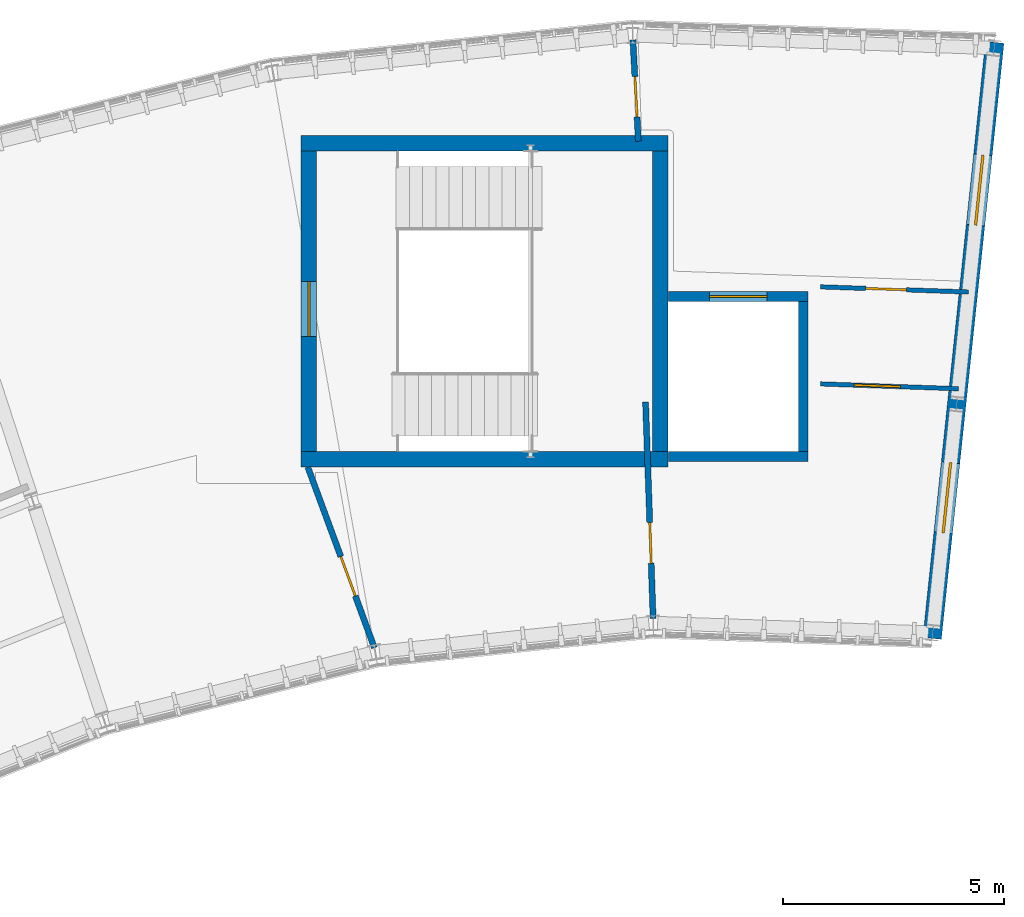
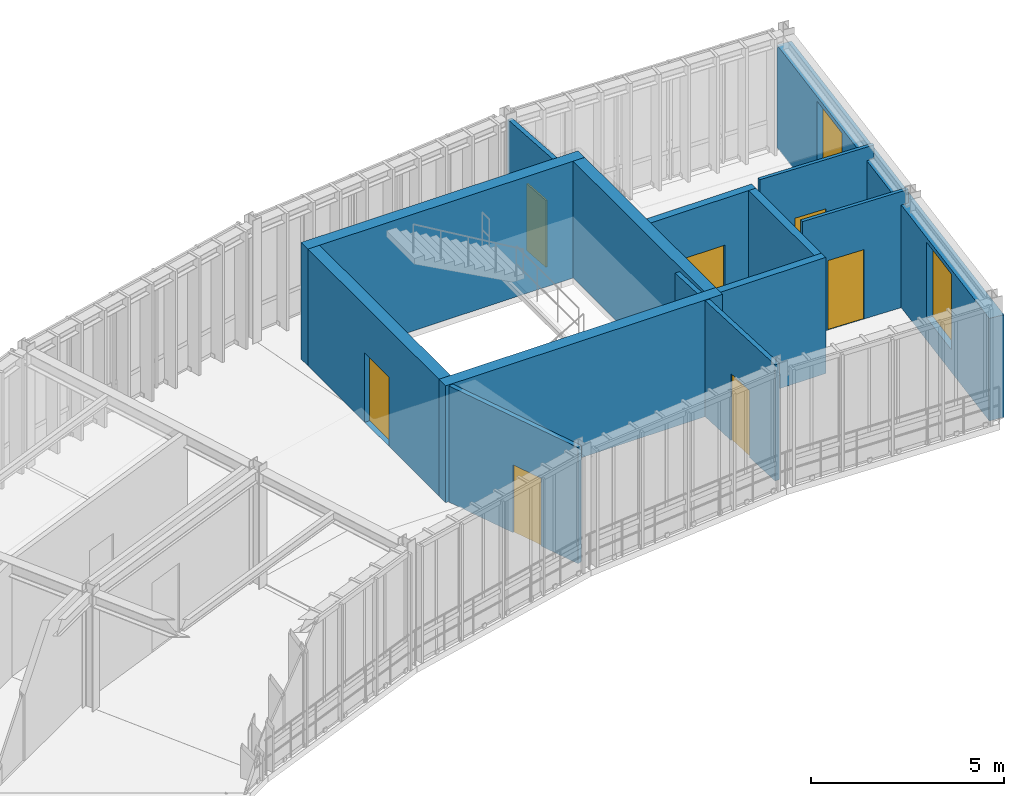
# One storey, part 31 of 41: 13 walls, 7 doors, 2 windows, 9 openings.
"""IFC4 building model written with IfcOpenShell, lengths in metres."""

from ifc_helpers import new_model, si_unit, direction, frame, frame_2d, origin, place, context, subcontext, project, spatial, rectangle, extrude, material, layer, layer_set, type_object, element, fill, save


model = new_model("IFC4")

# Units and contexts
model_context = context("Model", 3, precision=1e-05, world=origin(), true_north=direction((0.0, 1.0)))
body_context = subcontext(model_context, "Body", "Model", "MODEL_VIEW")
ifc_project = project(units=[si_unit("LENGTHUNIT", "METRE"), si_unit("AREAUNIT", "SQUARE_METRE"), si_unit("VOLUMEUNIT", "CUBIC_METRE"), si_unit("PLANEANGLEUNIT", "RADIAN"), si_unit("MASSUNIT", "GRAM", prefix="KILO"), si_unit("THERMODYNAMICTEMPERATUREUNIT", "KELVIN"), si_unit("POWERUNIT", "WATT")], contexts=[model_context])

# Site, building, storey
site_placement = place(None, origin())
site = spatial("IfcSite", under=ifc_project, at=site_placement, CompositionType="ELEMENT")
building_placement = place(site_placement, origin())
building = spatial("IfcBuilding", under=site, at=building_placement, Name="Solvatero Civic Police Headquarters", CompositionType="ELEMENT")
storey_placement = place(building_placement, frame((0.0, 0.0, 17.699951171875)))
storey = spatial("IfcBuildingStorey", under=building, at=storey_placement, Name="L04", CompositionType="ELEMENT", Elevation=17.699951171875)

# Wall, openings, windows
ifc_material_1 = material(Name="Cream Limestone Ashlar", Category="masonry")
ifc_layer_1 = layer(ifc_material_1, 0.419921875)
ifc_layer_set_1 = layer_set([ifc_layer_1], Name="Cream Limestone Ashlar")
wall_type_1 = type_object("IfcWallType", Name="WL-EXT-LIME-420", PredefinedType="SOLIDWALL", material=ifc_layer_set_1)
wall_1_placement = place(storey_placement, frame((98.726806640625, 70.972412109375, 0.0), z_axis=(0.0, 0.0, 1.0), x_axis=(0.104534827036, 0.994521226489, 0.0)))
wall_1 = element("IfcWall", 1, at=wall_1_placement, inside=storey, type_object=wall_type_1, Name="Exterior Wall WLE-L04-ARC-END-E", PredefinedType="SOLIDWALL", context=body_context, shape_type="SweptSolid", body=[
    extrude(rectangle(XDim=13.559814453125, YDim=0.419921875, at=frame_2d((6.77978515625, 0.0))), origin(), (0.0, 0.0, 1.0), 3.25),
])
opening_1_placement = place(wall_1_placement, frame((2.39990234375, 0.0, 0.7099609375)))
opening_1 = element("IfcOpeningElement", 2, at=opening_1_placement, cuts=wall_1, Name="Opening W-04", PredefinedType="OPENING", context=body_context, shape_type="SweptSolid", body=[
    extrude(rectangle(XDim=1.60009765625, YDim=2.39990234375, at=frame_2d((0.800048828125, 1.199951171875))), frame((0.0, 0.219970703125, 0.0), z_axis=(0.0, -1.0, 0.0), x_axis=(1.0, 0.0, 0.0)), (0.0, 0.0, 1.0), 0.43994140625),
])
opening_2_placement = place(wall_1_placement, frame((9.39990234375, 0.0, 0.7099609375)))
opening_2 = element("IfcOpeningElement", 3, at=opening_2_placement, cuts=wall_1, Name="Opening W-04", PredefinedType="OPENING", context=body_context, shape_type="SweptSolid", body=[
    extrude(rectangle(XDim=1.60009765625, YDim=2.39990234375, at=frame_2d((0.800048828125, 1.199951171875))), frame((0.0, 0.219970703125, 0.0), z_axis=(0.0, -1.0, 0.0), x_axis=(1.0, 0.0, 0.0)), (0.0, 0.0, 1.0), 0.43994140625),
])
ifc_material_2 = material(Name="Anodized Bronze Aluminium", Category="aluminium")
window_type = type_object("IfcWindowType", Name="WN-CL-160x240", PartitioningType="SINGLE_PANEL", PredefinedType="WINDOW", material=ifc_material_2)
window_1_placement = place(opening_1_placement, origin())
window_1 = element("IfcWindow", 4, at=window_1_placement, inside=storey, type_object=window_type, Name="Exterior Window 0289", OverallHeight=2.39990234375, OverallWidth=1.60009765625, PartitioningType="SINGLE_PANEL", PredefinedType="WINDOW", context=body_context, shape_type="SweptSolid", body=[
    extrude(rectangle(XDim=1.60009765625, YDim=2.39990234375, at=frame_2d((0.800048828125, 1.199951171875))), frame((0.0, 0.030029296875, 0.0), z_axis=(0.0, -1.0, 0.0), x_axis=(1.0, 0.0, 0.0)), (0.0, 0.0, 1.0), 0.06005859375),
])
fill(opening_1, window_1)
window_2_placement = place(opening_2_placement, origin())
window_2 = element("IfcWindow", 5, at=window_2_placement, inside=storey, type_object=window_type, Name="Exterior Window 0290", OverallHeight=2.39990234375, OverallWidth=1.60009765625, PartitioningType="SINGLE_PANEL", PredefinedType="WINDOW", context=body_context, shape_type="SweptSolid", body=[
    extrude(rectangle(XDim=1.60009765625, YDim=2.39990234375, at=frame_2d((0.800048828125, 1.199951171875))), frame((0.0, 0.030029296875, 0.0), z_axis=(0.0, -1.0, 0.0), x_axis=(1.0, 0.0, 0.0)), (0.0, 0.0, 1.0), 0.06005859375),
])
fill(opening_2, window_2)

# Wall, opening, door
ifc_material_3 = material(Name="Gypsum Acoustic Stud", Category="gypsum")
ifc_layer_2 = layer(ifc_material_3, 0.10009765625)
ifc_layer_set_2 = layer_set([ifc_layer_2], Name="Gypsum Acoustic Stud")
wall_type_2 = type_object("IfcWallType", Name="WL-PTN-100", PredefinedType="PARTITIONING", material=ifc_layer_set_2)
wall_2_placement = place(storey_placement, frame((99.320556640625, 76.62109375, 0.0), z_axis=(0.0, 0.0, 1.0), x_axis=(-0.999389073029, 0.034949688284, 0.0)))
wall_2 = element("IfcWall", 6, at=wall_2_placement, inside=storey, type_object=wall_type_2, Name="Interior Partition WLP-L04-ARC-CIN-B01", PredefinedType="PARTITIONING", context=body_context, shape_type="SweptSolid", body=[
    extrude(rectangle(XDim=3.12255859375, YDim=0.10009765625, at=frame_2d((1.561279296875, 0.0))), origin(), (0.0, 0.0, 1.0), 3.679931640625),
])
opening_3_placement = place(wall_2_placement, frame((1.31103515625, 0.0, 0.0)))
opening_3 = element("IfcOpeningElement", 7, at=opening_3_placement, cuts=wall_2, Name="Opening ID-07", PredefinedType="OPENING", context=body_context, shape_type="SweptSolid", body=[
    extrude(rectangle(XDim=1.050048828125, YDim=2.199951171875, at=frame_2d((0.52490234375, 1.10009765625))), frame((0.0, 0.06005859375, 0.0), z_axis=(0.0, -1.0, 0.0), x_axis=(1.0, 0.0, 0.0)), (0.0, 0.0, 1.0), 0.1201171875),
])
ifc_material_4 = material(Name="Powder-Coated Steel", Category="steel")
door_type_1 = type_object("IfcDoorType", Name="DR-LAB-105x220", OperationType="NOTDEFINED", PredefinedType="DOOR", material=ifc_material_4)
door_1_placement = place(opening_3_placement, origin())
door_1 = element("IfcDoor", 8, at=door_1_placement, inside=storey, type_object=door_type_1, Name="Interior Door DR-L04-ARC-IN-B01", OperationType="SINGLE_SWING_RIGHT", OverallHeight=2.199951171875, OverallWidth=1.050048828125, PredefinedType="DOOR", context=body_context, shape_type="SweptSolid", body=[
    extrude(rectangle(XDim=1.050048828125, YDim=2.199951171875, at=frame_2d((0.52490234375, 1.10009765625))), frame((0.0, 0.02490234375, 0.0), z_axis=(0.0, -1.0, 0.0), x_axis=(1.0, 0.0, 0.0)), (0.0, 0.0, 1.0), 0.050048828125),
])
fill(opening_3, door_1)

wall_3_placement = place(storey_placement, frame((99.550537109375, 78.80908203125, 0.0), z_axis=(0.0, 0.0, 1.0), x_axis=(-0.999391468521, 0.034881121642, 0.0)))
wall_3 = element("IfcWall", 9, at=wall_3_placement, inside=storey, type_object=wall_type_2, Name="Interior Partition WLP-L04-ARC-COUT-B01", PredefinedType="PARTITIONING", context=body_context, shape_type="SweptSolid", body=[
    extrude(rectangle(XDim=3.3525390625, YDim=0.10009765625, at=frame_2d((1.67626953125, 0.0))), origin(), (0.0, 0.0, 1.0), 3.679931640625),
])
opening_4_placement = place(wall_3_placement, frame((1.407958984375, 0.0, 0.0)))
opening_4 = element("IfcOpeningElement", 10, at=opening_4_placement, cuts=wall_3, Name="Opening ID-03", PredefinedType="OPENING", context=body_context, shape_type="SweptSolid", body=[
    extrude(rectangle(XDim=0.919921875, YDim=2.1201171875, at=frame_2d((0.4599609375, 1.06005859375))), frame((0.0, 0.06005859375, 0.0), z_axis=(0.0, -1.0, 0.0), x_axis=(1.0, 0.0, 0.0)), (0.0, 0.0, 1.0), 0.1201171875),
])
ifc_material_5 = material(Name="Acoustic Oak Timber Veneer", Category="wood")
door_type_2 = type_object("IfcDoorType", Name="DR-OFF-092x212", OperationType="NOTDEFINED", PredefinedType="DOOR", material=ifc_material_5)
door_2_placement = place(opening_4_placement, origin())
door_2 = element("IfcDoor", 11, at=door_2_placement, inside=storey, type_object=door_type_2, Name="Interior Door DR-L04-ARC-OUT-B01", OperationType="SINGLE_SWING_LEFT", OverallHeight=2.1201171875, OverallWidth=0.919921875, PredefinedType="DOOR", context=body_context, shape_type="SweptSolid", body=[
    extrude(rectangle(XDim=0.919921875, YDim=2.1201171875, at=frame_2d((0.4599609375, 1.06005859375))), frame((0.0, 0.02490234375, 0.0), z_axis=(0.0, -1.0, 0.0), x_axis=(1.0, 0.0, 0.0)), (0.0, 0.0, 1.0), 0.050048828125),
])
fill(opening_4, door_2)

ifc_material_6 = material(Name="Gypsum Double-Stud", Category="gypsum")
ifc_layer_3 = layer(ifc_material_6, 0.135009765625)
ifc_layer_set_3 = layer_set([ifc_layer_3], Name="Gypsum Double-Stud")
wall_type_3 = type_object("IfcWallType", Name="WL-PTN-135", PredefinedType="PARTITIONING", material=ifc_layer_set_3)
wall_4_placement = place(storey_placement, frame((92.413818359375, 71.42236328125, 0.0), z_axis=(0.0, 0.0, 1.0), x_axis=(-0.034877560821, 0.999391592796, 0.0)))
wall_4 = element("IfcWall", 12, at=wall_4_placement, inside=storey, type_object=wall_type_3, Name="Interior Partition WLP-L04-ARC-R12-IN", PredefinedType="PARTITIONING", context=body_context, shape_type="SweptSolid", body=[
    extrude(rectangle(XDim=4.89990234375, YDim=0.135009765625, at=frame_2d((2.449951171875, 0.0))), origin(), (0.0, 0.0, 1.0), 3.679931640625),
])
opening_5_placement = place(wall_4_placement, frame((1.25, 0.0, 0.0)))
opening_5 = element("IfcOpeningElement", 13, at=opening_5_placement, cuts=wall_4, Name="Opening ID-03", PredefinedType="OPENING", context=body_context, shape_type="SweptSolid", body=[
    extrude(rectangle(XDim=0.919921875, YDim=2.1201171875, at=frame_2d((0.4599609375, 1.06005859375))), frame((0.0, 0.077392578125, 0.0), z_axis=(0.0, -1.0, 0.0), x_axis=(1.0, 0.0, 0.0)), (0.0, 0.0, 1.0), 0.155029296875),
])
door_3_placement = place(opening_5_placement, origin())
door_3 = element("IfcDoor", 14, at=door_3_placement, inside=storey, type_object=door_type_2, Name="Interior Door DR-L04-ARC-R12-IN", OperationType="SINGLE_SWING_RIGHT", OverallHeight=2.1201171875, OverallWidth=0.919921875, PredefinedType="DOOR", context=body_context, shape_type="SweptSolid", body=[
    extrude(rectangle(XDim=0.919921875, YDim=2.1201171875, at=frame_2d((0.4599609375, 1.06005859375))), frame((0.0, 0.02490234375, 0.0), z_axis=(0.0, -1.0, 0.0), x_axis=(1.0, 0.0, 0.0)), (0.0, 0.0, 1.0), 0.050048828125),
])
fill(opening_5, door_3)

wall_5_placement = place(storey_placement, frame((92.080078125, 82.219970703125, 0.0), z_axis=(0.0, 0.0, 1.0), x_axis=(-0.053763372444, 0.998553704006, 0.0)))
wall_5 = element("IfcWall", 15, at=wall_5_placement, inside=storey, type_object=wall_type_3, Name="Interior Partition WLP-L04-ARC-R12-OUT", PredefinedType="PARTITIONING", context=body_context, shape_type="SweptSolid", body=[
    extrude(rectangle(XDim=2.2978515625, YDim=0.135009765625, at=frame_2d((1.14892578125, 0.0))), origin(), (0.0, 0.0, 1.0), 3.679931640625),
])
opening_6_placement = place(wall_5_placement, frame((0.550048828125, 0.0, 0.0)))
opening_6 = element("IfcOpeningElement", 16, at=opening_6_placement, cuts=wall_5, Name="Opening ID-03", PredefinedType="OPENING", context=body_context, shape_type="SweptSolid", body=[
    extrude(rectangle(XDim=0.919921875, YDim=2.1201171875, at=frame_2d((0.4599609375, 1.06005859375))), frame((0.0, 0.077392578125, 0.0), z_axis=(0.0, -1.0, 0.0), x_axis=(1.0, 0.0, 0.0)), (0.0, 0.0, 1.0), 0.155029296875),
])
door_4_placement = place(opening_6_placement, origin())
door_4 = element("IfcDoor", 17, at=door_4_placement, inside=storey, type_object=door_type_2, Name="Interior Door DR-L04-ARC-R12-OUT", OperationType="SINGLE_SWING_LEFT", OverallHeight=2.1201171875, OverallWidth=0.919921875, PredefinedType="DOOR", context=body_context, shape_type="SweptSolid", body=[
    extrude(rectangle(XDim=0.919921875, YDim=2.1201171875, at=frame_2d((0.4599609375, 1.06005859375))), frame((0.0, 0.02490234375, 0.0), z_axis=(0.0, -1.0, 0.0), x_axis=(1.0, 0.0, 0.0)), (0.0, 0.0, 1.0), 0.050048828125),
])
fill(opening_6, door_4)

wall_6_placement = place(storey_placement, frame((86.107666015625, 70.759521484375, 0.0), z_axis=(0.0, 0.0, 1.0), x_axis=(-0.345809164341, 0.938304866159, 0.0)))
wall_6 = element("IfcWall", 18, at=wall_6_placement, inside=storey, type_object=wall_type_3, Name="Interior Partition WLP-L04-ARC-R23-IN", PredefinedType="PARTITIONING", context=body_context, shape_type="SweptSolid", body=[
    extrude(rectangle(XDim=4.359619140625, YDim=0.135009765625, at=frame_2d((2.1796875, 0.0))), origin(), (0.0, 0.0, 1.0), 3.679931640625),
])
opening_7_placement = place(wall_6_placement, frame((1.25, 0.0, 0.0)))
opening_7 = element("IfcOpeningElement", 19, at=opening_7_placement, cuts=wall_6, Name="Opening ID-04", PredefinedType="OPENING", context=body_context, shape_type="SweptSolid", body=[
    extrude(rectangle(XDim=0.949951171875, YDim=2.14990234375, at=frame_2d((0.47509765625, 1.074951171875))), frame((0.0, 0.077392578125, 0.0), z_axis=(0.0, -1.0, 0.0), x_axis=(1.0, 0.0, 0.0)), (0.0, 0.0, 1.0), 0.155029296875),
])
door_type_3 = type_object("IfcDoorType", Name="DR-ACC-095x215", OperationType="NOTDEFINED", PredefinedType="DOOR", material=ifc_material_5)
door_5_placement = place(opening_7_placement, origin())
door_5 = element("IfcDoor", 20, at=door_5_placement, inside=storey, type_object=door_type_3, Name="Interior Door DR-L04-ARC-R23-IN", OperationType="SINGLE_SWING_RIGHT", OverallHeight=2.14990234375, OverallWidth=0.949951171875, PredefinedType="DOOR", context=body_context, shape_type="SweptSolid", body=[
    extrude(rectangle(XDim=0.949951171875, YDim=2.14990234375, at=frame_2d((0.47509765625, 1.074951171875))), frame((0.0, 0.02490234375, 0.0), z_axis=(0.0, -1.0, 0.0), x_axis=(1.0, 0.0, 0.0)), (0.0, 0.0, 1.0), 0.050048828125),
])
fill(opening_7, door_5)

# Wall
ifc_material_7 = material(Name="Concrete C35/45", Category="concrete")
ifc_layer_4 = layer(ifc_material_7, 0.219970703125)
ifc_layer_set_4 = layer_set([ifc_layer_4], Name="Concrete C35/45")
wall_type_4 = type_object("IfcWallType", Name="WL-SHF-220", PredefinedType="PARTITIONING", material=ifc_layer_set_4)
wall_7_placement = place(storey_placement, frame((92.760009765625, 75.090087890625, 0.0), z_axis=(0.0, 0.0, 1.0), x_axis=(1.0, 0.0, 0.0)))
element("IfcWall", 21, at=wall_7_placement, inside=storey, type_object=wall_type_4, Name="Lift Shaft Wall WLS-LG-01-L04-S", PredefinedType="PARTITIONING", context=body_context, shape_type="SweptSolid", body=[
    extrude(rectangle(XDim=3.159912109375, YDim=0.219970703125, at=frame_2d((1.580078125, 0.0))), origin(), (0.0, 0.0, 1.0), 3.679931640625),
])

# Wall, opening, door
wall_8_placement = place(storey_placement, frame((92.760009765625, 78.7099609375, 0.0), z_axis=(0.0, 0.0, 1.0), x_axis=(1.0, 0.0, 0.0)))
wall_8 = element("IfcWall", 22, at=wall_8_placement, inside=storey, type_object=wall_type_4, Name="Lift Shaft Wall WLS-LG-01-L04-N", PredefinedType="PARTITIONING", context=body_context, shape_type="SweptSolid", body=[
    extrude(rectangle(XDim=3.159912109375, YDim=0.219970703125, at=frame_2d((1.580078125, 0.0))), origin(), (0.0, 0.0, 1.0), 3.679931640625),
])
opening_8_placement = place(wall_8_placement, frame((0.929931640625, 0.0, 0.0)))
opening_8 = element("IfcOpeningElement", 23, at=opening_8_placement, cuts=wall_8, Name="Opening LD-02", PredefinedType="OPENING", context=body_context, shape_type="SweptSolid", body=[
    extrude(rectangle(XDim=1.300048828125, YDim=2.199951171875, at=frame_2d((0.64990234375, 1.10009765625))), frame((0.0, 0.119873046875, 0.0), z_axis=(0.0, -1.0, 0.0), x_axis=(1.0, 0.0, 0.0)), (0.0, 0.0, 1.0), 0.239990234375),
])
ifc_material_8 = material(Name="Stainless Steel Grade 316", Category="steel")
door_type_4 = type_object("IfcDoorType", Name="DR-LFT-130x220", OperationType="DOUBLE_DOOR_SLIDING", PredefinedType="DOOR", material=ifc_material_8)
door_6_placement = place(opening_8_placement, origin())
door_6 = element("IfcDoor", 24, at=door_6_placement, inside=storey, type_object=door_type_4, Name="Interior Door DR-LFT-LG-01-L04", OperationType="DOUBLE_DOOR_SLIDING", OverallHeight=2.199951171875, OverallWidth=1.300048828125, PredefinedType="DOOR", context=body_context, shape_type="SweptSolid", body=[
    extrude(rectangle(XDim=1.300048828125, YDim=2.199951171875, at=frame_2d((0.64990234375, 1.10009765625))), frame((0.0, 0.02490234375, 0.0), z_axis=(0.0, -1.0, 0.0), x_axis=(1.0, 0.0, 0.0)), (0.0, 0.0, 1.0), 0.050048828125),
])
fill(opening_8, door_6)

# Walls
wall_9_placement = place(storey_placement, frame((95.81005859375, 75.199951171875, 0.0), z_axis=(0.0, 0.0, 1.0), x_axis=(0.0, 1.0, 0.0)))
element("IfcWall", 25, at=wall_9_placement, inside=storey, type_object=wall_type_4, Name="Lift Shaft Wall WLS-LG-01-L04-E", PredefinedType="PARTITIONING", context=body_context, shape_type="SweptSolid", body=[
    extrude(rectangle(XDim=3.400146484375, YDim=0.219970703125, at=frame_2d((1.7001953125, 0.0))), origin(), (0.0, 0.0, 1.0), 3.679931640625),
])
ifc_material_9 = material(Name="Concrete C40/50", Category="concrete")
ifc_layer_5 = layer(ifc_material_9, 0.35009765625)
ifc_layer_set_5 = layer_set([ifc_layer_5], Name="Concrete C40/50")
wall_type_5 = type_object("IfcWallType", Name="WL-SHR-350", PredefinedType="SHEAR", material=ifc_layer_set_5)
for number, where, z_axis, x_axis, name in (
    (26, (84.449951171875, 75.02490234375, 0.0), (0.0, 0.0, 1.0), (1.0, 0.0, 0.0), "Core C3 Shear Wall S L04"),
    (27, (84.449951171875, 82.175048828125, 0.0), (0.0, 0.0, 1.0), (1.0, 0.0, 0.0), "Core C3 Shear Wall N L04"),
):
    element("IfcWall", number, at=place(storey_placement, frame(where, z_axis=z_axis, x_axis=x_axis)), inside=storey, type_object=wall_type_5, Name=name, PredefinedType="SHEAR", context=body_context, shape_type="SweptSolid", body=[
        extrude(rectangle(XDim=8.300048828125, YDim=0.35009765625, at=frame_2d((4.14990234375, 0.0))), origin(), (0.0, 0.0, 1.0), 3.699951171875),
    ])

# Wall, opening, door
wall_10_placement = place(storey_placement, frame((84.625, 75.199951171875, 0.0), z_axis=(0.0, 0.0, 1.0), x_axis=(0.0, 1.0, 0.0)))
wall_10 = element("IfcWall", 28, at=wall_10_placement, inside=storey, type_object=wall_type_5, Name="Core C3 Shear Wall W L04", PredefinedType="SHEAR", context=body_context, shape_type="SweptSolid", body=[
    extrude(rectangle(XDim=6.800048828125, YDim=0.35009765625, at=frame_2d((3.39990234375, 0.0))), origin(), (0.0, 0.0, 1.0), 3.699951171875),
])
opening_9_placement = place(wall_10_placement, frame((2.60009765625, 0.0, 0.0)))
opening_9 = element("IfcOpeningElement", 29, at=opening_9_placement, cuts=wall_10, Name="Opening FD-01", PredefinedType="OPENING", context=body_context, shape_type="SweptSolid", body=[
    extrude(rectangle(XDim=1.25, YDim=2.199951171875, at=frame_2d((0.625, 1.10009765625))), frame((0.0, 0.18505859375, 0.0), z_axis=(0.0, -1.0, 0.0), x_axis=(1.0, 0.0, 0.0)), (0.0, 0.0, 1.0), 0.3701171875),
])
door_type_5 = type_object("IfcDoorType", Name="DR-STR-125x220", OperationType="NOTDEFINED", PredefinedType="DOOR", material=ifc_material_4)
door_7_placement = place(opening_9_placement, origin())
door_7 = element("IfcDoor", 30, at=door_7_placement, inside=storey, type_object=door_type_5, Name="Interior Door DR-STR-C3-L04", OperationType="SINGLE_SWING_LEFT", OverallHeight=2.199951171875, OverallWidth=1.25, PredefinedType="DOOR", context=body_context, shape_type="SweptSolid", body=[
    extrude(rectangle(XDim=1.25, YDim=2.199951171875, at=frame_2d((0.625, 1.10009765625))), frame((0.0, 0.02490234375, 0.0), z_axis=(0.0, -1.0, 0.0), x_axis=(1.0, 0.0, 0.0)), (0.0, 0.0, 1.0), 0.050048828125),
])
fill(opening_9, door_7)

# Wall
wall_11_placement = place(storey_placement, frame((92.574951171875, 75.199951171875, 0.0), z_axis=(0.0, 0.0, 1.0), x_axis=(0.0, 1.0, 0.0)))
element("IfcWall", 31, at=wall_11_placement, inside=storey, type_object=wall_type_5, Name="Core C3 Shear Wall E L04", PredefinedType="SHEAR", context=body_context, shape_type="SweptSolid", body=[
    extrude(rectangle(XDim=6.800048828125, YDim=0.35009765625, at=frame_2d((3.39990234375, 0.0))), origin(), (0.0, 0.0, 1.0), 3.699951171875),
])

save(model, "model.ifc")
